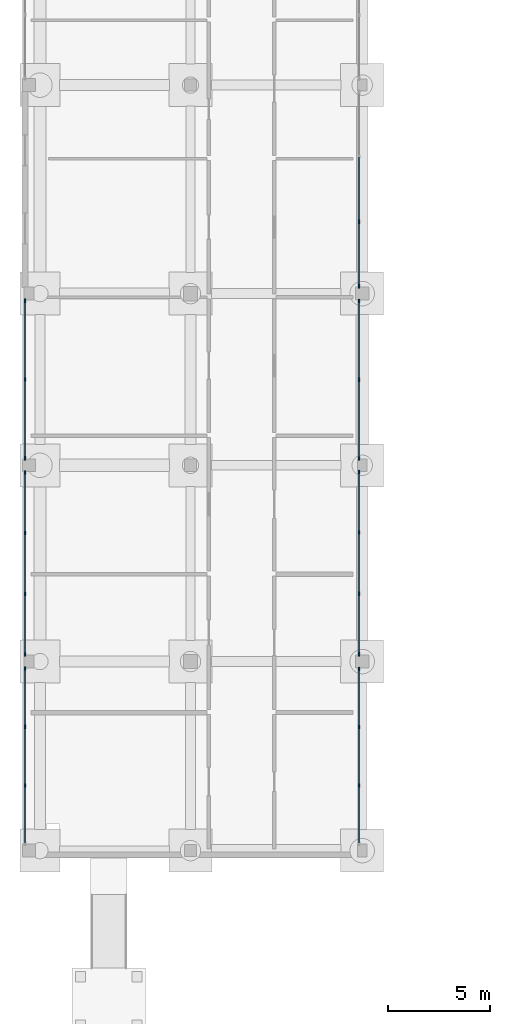
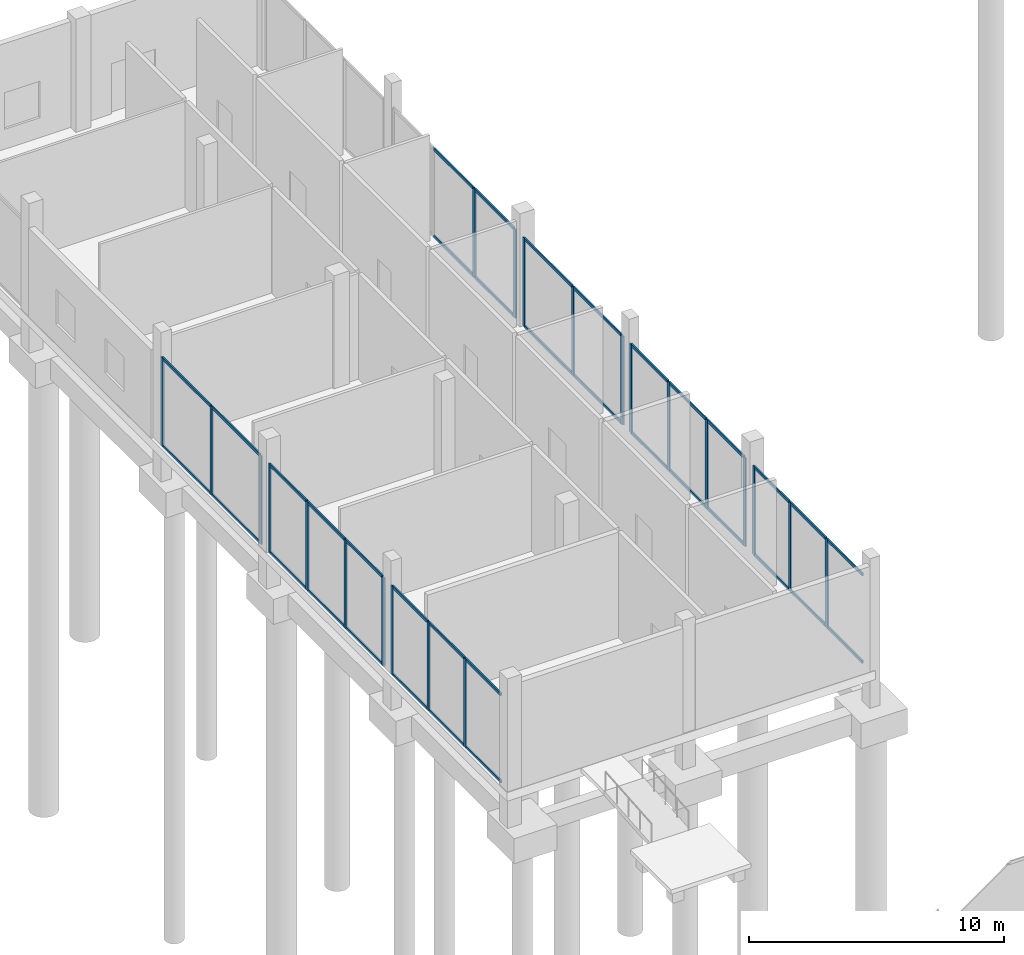
# One storey, part 32 of 88: 58 members, 7 elements without a shape of their own.
"""IFC4 building model written with IfcOpenShell, lengths in metres."""

from ifc_helpers import new_model, si_unit, direction, frame, origin, origin_2d, place, context, subcontext, project, spatial, rectangle, extrude, material, layer, layer_set, material_profile, profile_set, type_object, element, aggregate, save


model = new_model("IFC4")

# Units and contexts
model_context = context("Model", 3, precision=1e-05, world=origin(), true_north=direction((0.0, 1.0)))
body_context = subcontext(model_context, "Body", "Model", "MODEL_VIEW")
ifc_project = project(units=[si_unit("LENGTHUNIT", "METRE"), si_unit("AREAUNIT", "SQUARE_METRE"), si_unit("VOLUMEUNIT", "CUBIC_METRE"), si_unit("PLANEANGLEUNIT", "RADIAN"), si_unit("MASSUNIT", "GRAM", prefix="KILO")], contexts=[model_context])

# Site, building, storey
site_placement = place(None, origin())
site = spatial("IfcSite", under=ifc_project, at=site_placement, CompositionType="ELEMENT")
building_placement = place(site_placement, origin())
building = spatial("IfcBuilding", under=site, at=building_placement, Name="Birchvale Park Specialist Clinic", CompositionType="ELEMENT")
storey_placement = place(building_placement, origin())
storey = spatial("IfcBuildingStorey", under=building, at=storey_placement, Name="L00", CompositionType="ELEMENT", Elevation=0.0)

# Curtain wall, members
ifc_material = material(Name="Thermally broken anodised aluminium", Category="aluminium")
ifc_layer = layer(ifc_material, 0.195068359375)
ifc_layer_set = layer_set([ifc_layer], Name="Thermally broken anodised aluminium")
curtain_wall_type = type_object("IfcCurtainWallType", Name="CW-U2", PredefinedType="USERDEFINED", material=ifc_layer_set)
curtain_wall_1_placement = place(storey_placement, origin())
curtain_wall_1 = element("IfcCurtainWall", 1, at=curtain_wall_1_placement, inside=storey, type_object=curtain_wall_type, Name="V2 L00 glazed curtain wall 24", ObjectType="UNITISED", PredefinedType="USERDEFINED")
ifc_material_profile_1 = material_profile(ifc_material, rectangle(XDim=0.06494140625, YDim=0.179931640625, at=origin_2d()), Name="CWM-65x180")
ifc_profile_set_1 = profile_set([ifc_material_profile_1], Name="Thermally broken anodised aluminium")
member_type_1 = type_object("IfcMemberType", Name="CWM2", PredefinedType="MULLION", material=ifc_profile_set_1)
member_1_placement = place(storey_placement, frame((19.445068359375, 67.135009765625, 0.0), z_axis=(0.0, 0.0, 1.0), x_axis=(-1.0, 0.0, 0.0)))
member_1 = element("IfcMember", 2, at=member_1_placement, type_object=member_type_1, Name="CW mullion 2", PredefinedType="MULLION", context=body_context, shape_type="SweptSolid", body=[
    extrude(rectangle(XDim=0.06494140625, YDim=0.179931640625, at=origin_2d()), origin(), (0.0, 0.0, 1.0), 4.235107421875),
])
member_2_placement = place(storey_placement, frame((19.445068359375, 70.0048828125, 0.0), z_axis=(0.0, 0.0, 1.0), x_axis=(-1.0, 0.0, 0.0)))
member_2 = element("IfcMember", 3, at=member_2_placement, type_object=member_type_1, Name="CW mullion 3", PredefinedType="MULLION", context=body_context, shape_type="SweptSolid", body=[
    extrude(rectangle(XDim=0.06494140625, YDim=0.179931640625, at=origin_2d()), origin(), (0.0, 0.0, 1.0), 4.235107421875),
])
member_3_placement = place(storey_placement, frame((19.445068359375, 72.842529296875, 0.0), z_axis=(0.0, 0.0, 1.0), x_axis=(-1.0, 0.0, 0.0)))
member_3 = element("IfcMember", 4, at=member_3_placement, type_object=member_type_1, Name="CW mullion 4", PredefinedType="MULLION", context=body_context, shape_type="SweptSolid", body=[
    extrude(rectangle(XDim=0.06494140625, YDim=0.179931640625, at=origin_2d()), origin(), (0.0, 0.0, 1.0), 4.235107421875),
])

curtain_wall_2_placement = place(storey_placement, origin())
curtain_wall_2 = element("IfcCurtainWall", 5, at=curtain_wall_2_placement, inside=storey, type_object=curtain_wall_type, Name="V2 L00 glazed curtain wall 25", ObjectType="UNITISED", PredefinedType="USERDEFINED")
member_4_placement = place(storey_placement, frame((19.445068359375, 73.5576171875, 0.0), z_axis=(0.0, 0.0, 1.0), x_axis=(-1.0, 0.0, 0.0)))
member_4 = element("IfcMember", 6, at=member_4_placement, type_object=member_type_1, Name="CW mullion 1", PredefinedType="MULLION", context=body_context, shape_type="SweptSolid", body=[
    extrude(rectangle(XDim=0.06494140625, YDim=0.179931640625, at=origin_2d()), origin(), (0.0, 0.0, 1.0), 4.235107421875),
])
member_5_placement = place(storey_placement, frame((19.445068359375, 76.5166015625, 0.0), z_axis=(0.0, 0.0, 1.0), x_axis=(-1.0, 0.0, 0.0)))
member_5 = element("IfcMember", 7, at=member_5_placement, type_object=member_type_1, Name="CW mullion 2", PredefinedType="MULLION", context=body_context, shape_type="SweptSolid", body=[
    extrude(rectangle(XDim=0.06494140625, YDim=0.179931640625, at=origin_2d()), origin(), (0.0, 0.0, 1.0), 4.235107421875),
])
member_6_placement = place(storey_placement, frame((19.445068359375, 79.50830078125, 0.0), z_axis=(0.0, 0.0, 1.0), x_axis=(-1.0, 0.0, 0.0)))
member_6 = element("IfcMember", 8, at=member_6_placement, type_object=member_type_1, Name="CW mullion 3", PredefinedType="MULLION", context=body_context, shape_type="SweptSolid", body=[
    extrude(rectangle(XDim=0.06494140625, YDim=0.179931640625, at=origin_2d()), origin(), (0.0, 0.0, 1.0), 4.235107421875),
])
member_7_placement = place(storey_placement, frame((19.445068359375, 82.467529296875, 0.0), z_axis=(0.0, 0.0, 1.0), x_axis=(-1.0, 0.0, 0.0)))
member_7 = element("IfcMember", 9, at=member_7_placement, type_object=member_type_1, Name="CW mullion 4", PredefinedType="MULLION", context=body_context, shape_type="SweptSolid", body=[
    extrude(rectangle(XDim=0.06494140625, YDim=0.179931640625, at=origin_2d()), origin(), (0.0, 0.0, 1.0), 4.235107421875),
])

curtain_wall_3_placement = place(storey_placement, origin())
curtain_wall_3 = element("IfcCurtainWall", 10, at=curtain_wall_3_placement, inside=storey, type_object=curtain_wall_type, Name="V2 L00 glazed curtain wall 26", ObjectType="UNITISED", PredefinedType="USERDEFINED")
member_8_placement = place(storey_placement, frame((19.445068359375, 83.132568359375, 0.0), z_axis=(0.0, 0.0, 1.0), x_axis=(-1.0, 0.0, 0.0)))
member_8 = element("IfcMember", 11, at=member_8_placement, type_object=member_type_1, Name="CW mullion 1", PredefinedType="MULLION", context=body_context, shape_type="SweptSolid", body=[
    extrude(rectangle(XDim=0.06494140625, YDim=0.179931640625, at=origin_2d()), origin(), (0.0, 0.0, 1.0), 4.235107421875),
])
member_9_placement = place(storey_placement, frame((19.445068359375, 86.987548828125, 0.0), z_axis=(0.0, 0.0, 1.0), x_axis=(-1.0, 0.0, 0.0)))
member_9 = element("IfcMember", 12, at=member_9_placement, type_object=member_type_1, Name="CW mullion 2", PredefinedType="MULLION", context=body_context, shape_type="SweptSolid", body=[
    extrude(rectangle(XDim=0.06494140625, YDim=0.179931640625, at=origin_2d()), origin(), (0.0, 0.0, 1.0), 4.235107421875),
])
member_10_placement = place(storey_placement, frame((19.445068359375, 90.842529296875, 0.0), z_axis=(0.0, 0.0, 1.0), x_axis=(-1.0, 0.0, 0.0)))
member_10 = element("IfcMember", 13, at=member_10_placement, type_object=member_type_1, Name="CW mullion 3", PredefinedType="MULLION", context=body_context, shape_type="SweptSolid", body=[
    extrude(rectangle(XDim=0.06494140625, YDim=0.179931640625, at=origin_2d()), origin(), (0.0, 0.0, 1.0), 4.235107421875),
])

curtain_wall_4_placement = place(storey_placement, origin())
curtain_wall_4 = element("IfcCurtainWall", 14, at=curtain_wall_4_placement, inside=storey, type_object=curtain_wall_type, Name="V2 L00 glazed curtain wall 27", ObjectType="UNITISED", PredefinedType="USERDEFINED")
member_11_placement = place(storey_placement, frame((19.445068359375, 91.5576171875, 0.0), z_axis=(0.0, 0.0, 1.0), x_axis=(-1.0, 0.0, 0.0)))
member_11 = element("IfcMember", 15, at=member_11_placement, type_object=member_type_1, Name="CW mullion 1", PredefinedType="MULLION", context=body_context, shape_type="SweptSolid", body=[
    extrude(rectangle(XDim=0.06494140625, YDim=0.179931640625, at=origin_2d()), origin(), (0.0, 0.0, 1.0), 4.235107421875),
])
member_12_placement = place(storey_placement, frame((19.445068359375, 94.716552734375, 0.0), z_axis=(0.0, 0.0, 1.0), x_axis=(-1.0, 0.0, 0.0)))
member_12 = element("IfcMember", 16, at=member_12_placement, type_object=member_type_1, Name="CW mullion 2", PredefinedType="MULLION", context=body_context, shape_type="SweptSolid", body=[
    extrude(rectangle(XDim=0.06494140625, YDim=0.179931640625, at=origin_2d()), origin(), (0.0, 0.0, 1.0), 4.235107421875),
])

curtain_wall_5_placement = place(storey_placement, origin())
curtain_wall_5 = element("IfcCurtainWall", 17, at=curtain_wall_5_placement, inside=storey, type_object=curtain_wall_type, Name="V2 L00 glazed curtain wall 30", ObjectType="UNITISED", PredefinedType="USERDEFINED")
member_13_placement = place(storey_placement, frame((3.10498046875, 90.8525390625, 0.0), z_axis=(0.0, 0.0, 1.0), x_axis=(1.0, 0.0, 0.0)))
member_13 = element("IfcMember", 18, at=member_13_placement, type_object=member_type_1, Name="CW mullion 1", PredefinedType="MULLION", context=body_context, shape_type="SweptSolid", body=[
    extrude(rectangle(XDim=0.06494140625, YDim=0.179931640625, at=origin_2d()), origin(), (0.0, 0.0, 1.0), 4.235107421875),
])
member_14_placement = place(storey_placement, frame((3.10498046875, 87.0, 0.0), z_axis=(0.0, 0.0, 1.0), x_axis=(1.0, 0.0, 0.0)))
member_14 = element("IfcMember", 19, at=member_14_placement, type_object=member_type_1, Name="CW mullion 2", PredefinedType="MULLION", context=body_context, shape_type="SweptSolid", body=[
    extrude(rectangle(XDim=0.06494140625, YDim=0.179931640625, at=origin_2d()), origin(), (0.0, 0.0, 1.0), 4.235107421875),
])
member_15_placement = place(storey_placement, frame((3.10498046875, 83.1474609375, 0.0), z_axis=(0.0, 0.0, 1.0), x_axis=(1.0, 0.0, 0.0)))
member_15 = element("IfcMember", 20, at=member_15_placement, type_object=member_type_1, Name="CW mullion 3", PredefinedType="MULLION", context=body_context, shape_type="SweptSolid", body=[
    extrude(rectangle(XDim=0.06494140625, YDim=0.179931640625, at=origin_2d()), origin(), (0.0, 0.0, 1.0), 4.235107421875),
])

curtain_wall_6_placement = place(storey_placement, origin())
curtain_wall_6 = element("IfcCurtainWall", 21, at=curtain_wall_6_placement, inside=storey, type_object=curtain_wall_type, Name="V2 L00 glazed curtain wall 31", ObjectType="UNITISED", PredefinedType="USERDEFINED")
member_16_placement = place(storey_placement, frame((3.10498046875, 82.452392578125, 0.0), z_axis=(0.0, 0.0, 1.0), x_axis=(1.0, 0.0, 0.0)))
member_16 = element("IfcMember", 22, at=member_16_placement, type_object=member_type_1, Name="CW mullion 1", PredefinedType="MULLION", context=body_context, shape_type="SweptSolid", body=[
    extrude(rectangle(XDim=0.06494140625, YDim=0.179931640625, at=origin_2d()), origin(), (0.0, 0.0, 1.0), 4.235107421875),
])
member_17_placement = place(storey_placement, frame((3.10498046875, 79.4951171875, 0.0), z_axis=(0.0, 0.0, 1.0), x_axis=(1.0, 0.0, 0.0)))
member_17 = element("IfcMember", 23, at=member_17_placement, type_object=member_type_1, Name="CW mullion 2", PredefinedType="MULLION", context=body_context, shape_type="SweptSolid", body=[
    extrude(rectangle(XDim=0.06494140625, YDim=0.179931640625, at=origin_2d()), origin(), (0.0, 0.0, 1.0), 4.235107421875),
])
member_18_placement = place(storey_placement, frame((3.10498046875, 76.5048828125, 0.0), z_axis=(0.0, 0.0, 1.0), x_axis=(1.0, 0.0, 0.0)))
member_18 = element("IfcMember", 24, at=member_18_placement, type_object=member_type_1, Name="CW mullion 3", PredefinedType="MULLION", context=body_context, shape_type="SweptSolid", body=[
    extrude(rectangle(XDim=0.06494140625, YDim=0.179931640625, at=origin_2d()), origin(), (0.0, 0.0, 1.0), 4.235107421875),
])
member_19_placement = place(storey_placement, frame((3.10498046875, 73.547607421875, 0.0), z_axis=(0.0, 0.0, 1.0), x_axis=(1.0, 0.0, 0.0)))
member_19 = element("IfcMember", 25, at=member_19_placement, type_object=member_type_1, Name="CW mullion 4", PredefinedType="MULLION", context=body_context, shape_type="SweptSolid", body=[
    extrude(rectangle(XDim=0.06494140625, YDim=0.179931640625, at=origin_2d()), origin(), (0.0, 0.0, 1.0), 4.235107421875),
])

curtain_wall_7_placement = place(storey_placement, origin())
curtain_wall_7 = element("IfcCurtainWall", 26, at=curtain_wall_7_placement, inside=storey, type_object=curtain_wall_type, Name="V2 L00 glazed curtain wall 32", ObjectType="UNITISED", PredefinedType="USERDEFINED")
member_20_placement = place(storey_placement, frame((3.10498046875, 72.8525390625, 0.0), z_axis=(0.0, 0.0, 1.0), x_axis=(1.0, 0.0, 0.0)))
member_20 = element("IfcMember", 27, at=member_20_placement, type_object=member_type_1, Name="CW mullion 1", PredefinedType="MULLION", context=body_context, shape_type="SweptSolid", body=[
    extrude(rectangle(XDim=0.06494140625, YDim=0.179931640625, at=origin_2d()), origin(), (0.0, 0.0, 1.0), 4.235107421875),
])
member_21_placement = place(storey_placement, frame((3.10498046875, 70.01171875, 0.0), z_axis=(0.0, 0.0, 1.0), x_axis=(1.0, 0.0, 0.0)))
member_21 = element("IfcMember", 28, at=member_21_placement, type_object=member_type_1, Name="CW mullion 2", PredefinedType="MULLION", context=body_context, shape_type="SweptSolid", body=[
    extrude(rectangle(XDim=0.06494140625, YDim=0.179931640625, at=origin_2d()), origin(), (0.0, 0.0, 1.0), 4.235107421875),
])
member_22_placement = place(storey_placement, frame((3.10498046875, 67.138427734375, 0.0), z_axis=(0.0, 0.0, 1.0), x_axis=(1.0, 0.0, 0.0)))
member_22 = element("IfcMember", 29, at=member_22_placement, type_object=member_type_1, Name="CW mullion 3", PredefinedType="MULLION", context=body_context, shape_type="SweptSolid", body=[
    extrude(rectangle(XDim=0.06494140625, YDim=0.179931640625, at=origin_2d()), origin(), (0.0, 0.0, 1.0), 4.235107421875),
])

# Member
ifc_material_profile_2 = material_profile(ifc_material, rectangle(XDim=0.06494140625, YDim=0.139892578125, at=origin_2d()), Name="CWT-65x140")
ifc_profile_set_2 = profile_set([ifc_material_profile_2], Name="Thermally broken anodised aluminium")
member_type_2 = type_object("IfcMemberType", Name="CWT2", PredefinedType="USERDEFINED", material=ifc_profile_set_2)
member_23_placement = place(storey_placement, frame((19.445068359375, 64.330078125, 0.032470703125), z_axis=(0.0, 1.0, 0.0), x_axis=(-1.0, 0.0, 0.0)))
member_23 = element("IfcMember", 30, at=member_23_placement, type_object=member_type_2, Name="CW transom 1.1", ObjectType="TRANSOM", PredefinedType="USERDEFINED", context=body_context, shape_type="SweptSolid", body=[
    extrude(rectangle(XDim=0.06494140625, YDim=0.139892578125, at=origin_2d()), origin(), (0.0, 0.0, 1.0), 2.7724609375),
])

member_24_placement = place(storey_placement, frame((19.445068359375, 64.330078125, 4.202392578125), z_axis=(0.0, 1.0, 0.0), x_axis=(-1.0, 0.0, 0.0)))
member_24 = element("IfcMember", 31, at=member_24_placement, type_object=member_type_2, Name="CW transom 1.2", ObjectType="TRANSOM", PredefinedType="USERDEFINED", context=body_context, shape_type="SweptSolid", body=[
    extrude(rectangle(XDim=0.06494140625, YDim=0.139892578125, at=origin_2d()), origin(), (0.0, 0.0, 1.0), 2.7724609375),
])

member_25_placement = place(storey_placement, frame((19.445068359375, 67.16748046875, 0.032470703125), z_axis=(0.0, 1.0, 0.0), x_axis=(-1.0, 0.0, 0.0)))
member_25 = element("IfcMember", 32, at=member_25_placement, type_object=member_type_2, Name="CW transom 2.1", ObjectType="TRANSOM", PredefinedType="USERDEFINED", context=body_context, shape_type="SweptSolid", body=[
    extrude(rectangle(XDim=0.06494140625, YDim=0.139892578125, at=origin_2d()), origin(), (0.0, 0.0, 1.0), 2.804931640625),
])

member_26_placement = place(storey_placement, frame((19.445068359375, 67.16748046875, 4.202392578125), z_axis=(0.0, 1.0, 0.0), x_axis=(-1.0, 0.0, 0.0)))
member_26 = element("IfcMember", 33, at=member_26_placement, type_object=member_type_2, Name="CW transom 2.2", ObjectType="TRANSOM", PredefinedType="USERDEFINED", context=body_context, shape_type="SweptSolid", body=[
    extrude(rectangle(XDim=0.06494140625, YDim=0.139892578125, at=origin_2d()), origin(), (0.0, 0.0, 1.0), 2.804931640625),
])

member_27_placement = place(storey_placement, frame((19.445068359375, 70.03759765625, 0.032470703125), z_axis=(0.0, 1.0, 0.0), x_axis=(-1.0, 0.0, 0.0)))
member_27 = element("IfcMember", 34, at=member_27_placement, type_object=member_type_2, Name="CW transom 3.1", ObjectType="TRANSOM", PredefinedType="USERDEFINED", context=body_context, shape_type="SweptSolid", body=[
    extrude(rectangle(XDim=0.06494140625, YDim=0.139892578125, at=origin_2d()), origin(), (0.0, 0.0, 1.0), 2.7724609375),
])

member_28_placement = place(storey_placement, frame((19.445068359375, 70.03759765625, 4.202392578125), z_axis=(0.0, 1.0, 0.0), x_axis=(-1.0, 0.0, 0.0)))
member_28 = element("IfcMember", 35, at=member_28_placement, type_object=member_type_2, Name="CW transom 3.2", ObjectType="TRANSOM", PredefinedType="USERDEFINED", context=body_context, shape_type="SweptSolid", body=[
    extrude(rectangle(XDim=0.06494140625, YDim=0.139892578125, at=origin_2d()), origin(), (0.0, 0.0, 1.0), 2.7724609375),
])

aggregate(curtain_wall_1, [member_1, member_2, member_3, member_23, member_24, member_25, member_26, member_27, member_28])

member_29_placement = place(storey_placement, frame((19.445068359375, 73.590087890625, 0.032470703125), z_axis=(0.0, 1.0, 0.0), x_axis=(-1.0, 0.0, 0.0)))
member_29 = element("IfcMember", 36, at=member_29_placement, type_object=member_type_2, Name="CW transom 1.1", ObjectType="TRANSOM", PredefinedType="USERDEFINED", context=body_context, shape_type="SweptSolid", body=[
    extrude(rectangle(XDim=0.06494140625, YDim=0.139892578125, at=origin_2d()), origin(), (0.0, 0.0, 1.0), 2.89404296875),
])

member_30_placement = place(storey_placement, frame((19.445068359375, 73.590087890625, 4.202392578125), z_axis=(0.0, 1.0, 0.0), x_axis=(-1.0, 0.0, 0.0)))
member_30 = element("IfcMember", 37, at=member_30_placement, type_object=member_type_2, Name="CW transom 1.2", ObjectType="TRANSOM", PredefinedType="USERDEFINED", context=body_context, shape_type="SweptSolid", body=[
    extrude(rectangle(XDim=0.06494140625, YDim=0.139892578125, at=origin_2d()), origin(), (0.0, 0.0, 1.0), 2.89404296875),
])

member_31_placement = place(storey_placement, frame((19.445068359375, 76.549072265625, 0.032470703125), z_axis=(0.0, 1.0, 0.0), x_axis=(-1.0, 0.0, 0.0)))
member_31 = element("IfcMember", 38, at=member_31_placement, type_object=member_type_2, Name="CW transom 2.1", ObjectType="TRANSOM", PredefinedType="USERDEFINED", context=body_context, shape_type="SweptSolid", body=[
    extrude(rectangle(XDim=0.06494140625, YDim=0.139892578125, at=origin_2d()), origin(), (0.0, 0.0, 1.0), 2.9267578125),
])

member_32_placement = place(storey_placement, frame((19.445068359375, 76.549072265625, 4.202392578125), z_axis=(0.0, 1.0, 0.0), x_axis=(-1.0, 0.0, 0.0)))
member_32 = element("IfcMember", 39, at=member_32_placement, type_object=member_type_2, Name="CW transom 2.2", ObjectType="TRANSOM", PredefinedType="USERDEFINED", context=body_context, shape_type="SweptSolid", body=[
    extrude(rectangle(XDim=0.06494140625, YDim=0.139892578125, at=origin_2d()), origin(), (0.0, 0.0, 1.0), 2.9267578125),
])

member_33_placement = place(storey_placement, frame((19.445068359375, 79.540771484375, 0.032470703125), z_axis=(0.0, 1.0, 0.0), x_axis=(-1.0, 0.0, 0.0)))
member_33 = element("IfcMember", 40, at=member_33_placement, type_object=member_type_2, Name="CW transom 3.1", ObjectType="TRANSOM", PredefinedType="USERDEFINED", context=body_context, shape_type="SweptSolid", body=[
    extrude(rectangle(XDim=0.06494140625, YDim=0.139892578125, at=origin_2d()), origin(), (0.0, 0.0, 1.0), 2.894287109375),
])

member_34_placement = place(storey_placement, frame((19.445068359375, 79.540771484375, 4.202392578125), z_axis=(0.0, 1.0, 0.0), x_axis=(-1.0, 0.0, 0.0)))
member_34 = element("IfcMember", 41, at=member_34_placement, type_object=member_type_2, Name="CW transom 3.2", ObjectType="TRANSOM", PredefinedType="USERDEFINED", context=body_context, shape_type="SweptSolid", body=[
    extrude(rectangle(XDim=0.06494140625, YDim=0.139892578125, at=origin_2d()), origin(), (0.0, 0.0, 1.0), 2.894287109375),
])

aggregate(curtain_wall_2, [member_4, member_5, member_6, member_7, member_29, member_30, member_31, member_32, member_33, member_34])

member_35_placement = place(storey_placement, frame((19.445068359375, 83.1650390625, 0.032470703125), z_axis=(0.0, 1.0, 0.0), x_axis=(-1.0, 0.0, 0.0)))
member_35 = element("IfcMember", 42, at=member_35_placement, type_object=member_type_2, Name="CW transom 1.1", ObjectType="TRANSOM", PredefinedType="USERDEFINED", context=body_context, shape_type="SweptSolid", body=[
    extrude(rectangle(XDim=0.06494140625, YDim=0.139892578125, at=origin_2d()), origin(), (0.0, 0.0, 1.0), 3.7900390625),
])

member_36_placement = place(storey_placement, frame((19.445068359375, 83.1650390625, 4.202392578125), z_axis=(0.0, 1.0, 0.0), x_axis=(-1.0, 0.0, 0.0)))
member_36 = element("IfcMember", 43, at=member_36_placement, type_object=member_type_2, Name="CW transom 1.2", ObjectType="TRANSOM", PredefinedType="USERDEFINED", context=body_context, shape_type="SweptSolid", body=[
    extrude(rectangle(XDim=0.06494140625, YDim=0.139892578125, at=origin_2d()), origin(), (0.0, 0.0, 1.0), 3.7900390625),
])

member_37_placement = place(storey_placement, frame((19.445068359375, 87.02001953125, 0.032470703125), z_axis=(0.0, 1.0, 0.0), x_axis=(-1.0, 0.0, 0.0)))
member_37 = element("IfcMember", 44, at=member_37_placement, type_object=member_type_2, Name="CW transom 2.1", ObjectType="TRANSOM", PredefinedType="USERDEFINED", context=body_context, shape_type="SweptSolid", body=[
    extrude(rectangle(XDim=0.06494140625, YDim=0.139892578125, at=origin_2d()), origin(), (0.0, 0.0, 1.0), 3.7900390625),
])

member_38_placement = place(storey_placement, frame((19.445068359375, 87.02001953125, 4.202392578125), z_axis=(0.0, 1.0, 0.0), x_axis=(-1.0, 0.0, 0.0)))
member_38 = element("IfcMember", 45, at=member_38_placement, type_object=member_type_2, Name="CW transom 2.2", ObjectType="TRANSOM", PredefinedType="USERDEFINED", context=body_context, shape_type="SweptSolid", body=[
    extrude(rectangle(XDim=0.06494140625, YDim=0.139892578125, at=origin_2d()), origin(), (0.0, 0.0, 1.0), 3.7900390625),
])

aggregate(curtain_wall_3, [member_8, member_9, member_10, member_35, member_36, member_37, member_38])

member_39_placement = place(storey_placement, frame((19.445068359375, 91.590087890625, 0.032470703125), z_axis=(0.0, 1.0, 0.0), x_axis=(-1.0, 0.0, 0.0)))
member_39 = element("IfcMember", 46, at=member_39_placement, type_object=member_type_2, Name="CW transom 1.1", ObjectType="TRANSOM", PredefinedType="USERDEFINED", context=body_context, shape_type="SweptSolid", body=[
    extrude(rectangle(XDim=0.06494140625, YDim=0.139892578125, at=origin_2d()), origin(), (0.0, 0.0, 1.0), 3.093994140625),
])

member_40_placement = place(storey_placement, frame((19.445068359375, 91.590087890625, 4.202392578125), z_axis=(0.0, 1.0, 0.0), x_axis=(-1.0, 0.0, 0.0)))
member_40 = element("IfcMember", 47, at=member_40_placement, type_object=member_type_2, Name="CW transom 1.2", ObjectType="TRANSOM", PredefinedType="USERDEFINED", context=body_context, shape_type="SweptSolid", body=[
    extrude(rectangle(XDim=0.06494140625, YDim=0.139892578125, at=origin_2d()), origin(), (0.0, 0.0, 1.0), 3.093994140625),
])

member_41_placement = place(storey_placement, frame((19.445068359375, 94.749267578125, 0.032470703125), z_axis=(0.0, 1.0, 0.0), x_axis=(-1.0, 0.0, 0.0)))
member_41 = element("IfcMember", 48, at=member_41_placement, type_object=member_type_2, Name="CW transom 2.1", ObjectType="TRANSOM", PredefinedType="USERDEFINED", context=body_context, shape_type="SweptSolid", body=[
    extrude(rectangle(XDim=0.06494140625, YDim=0.139892578125, at=origin_2d()), origin(), (0.0, 0.0, 1.0), 3.12646484375),
])

member_42_placement = place(storey_placement, frame((19.445068359375, 94.749267578125, 4.202392578125), z_axis=(0.0, 1.0, 0.0), x_axis=(-1.0, 0.0, 0.0)))
member_42 = element("IfcMember", 49, at=member_42_placement, type_object=member_type_2, Name="CW transom 2.2", ObjectType="TRANSOM", PredefinedType="USERDEFINED", context=body_context, shape_type="SweptSolid", body=[
    extrude(rectangle(XDim=0.06494140625, YDim=0.139892578125, at=origin_2d()), origin(), (0.0, 0.0, 1.0), 3.12646484375),
])

aggregate(curtain_wall_4, [member_11, member_12, member_39, member_40, member_41, member_42])

member_43_placement = place(storey_placement, frame((3.10498046875, 90.820068359375, 0.032470703125), z_axis=(0.0, -1.0, 0.0), x_axis=(1.0, 0.0, 0.0)))
member_43 = element("IfcMember", 50, at=member_43_placement, type_object=member_type_2, Name="CW transom 1.1", ObjectType="TRANSOM", PredefinedType="USERDEFINED", context=body_context, shape_type="SweptSolid", body=[
    extrude(rectangle(XDim=0.06494140625, YDim=0.139892578125, at=origin_2d()), origin(), (0.0, 0.0, 1.0), 3.78759765625),
])

member_44_placement = place(storey_placement, frame((3.10498046875, 90.820068359375, 4.202392578125), z_axis=(0.0, -1.0, 0.0), x_axis=(1.0, 0.0, 0.0)))
member_44 = element("IfcMember", 51, at=member_44_placement, type_object=member_type_2, Name="CW transom 1.2", ObjectType="TRANSOM", PredefinedType="USERDEFINED", context=body_context, shape_type="SweptSolid", body=[
    extrude(rectangle(XDim=0.06494140625, YDim=0.139892578125, at=origin_2d()), origin(), (0.0, 0.0, 1.0), 3.78759765625),
])

member_45_placement = place(storey_placement, frame((3.10498046875, 86.967529296875, 0.032470703125), z_axis=(0.0, -1.0, 0.0), x_axis=(1.0, 0.0, 0.0)))
member_45 = element("IfcMember", 52, at=member_45_placement, type_object=member_type_2, Name="CW transom 2.1", ObjectType="TRANSOM", PredefinedType="USERDEFINED", context=body_context, shape_type="SweptSolid", body=[
    extrude(rectangle(XDim=0.06494140625, YDim=0.139892578125, at=origin_2d()), origin(), (0.0, 0.0, 1.0), 3.78759765625),
])

member_46_placement = place(storey_placement, frame((3.10498046875, 86.967529296875, 4.202392578125), z_axis=(0.0, -1.0, 0.0), x_axis=(1.0, 0.0, 0.0)))
member_46 = element("IfcMember", 53, at=member_46_placement, type_object=member_type_2, Name="CW transom 2.2", ObjectType="TRANSOM", PredefinedType="USERDEFINED", context=body_context, shape_type="SweptSolid", body=[
    extrude(rectangle(XDim=0.06494140625, YDim=0.139892578125, at=origin_2d()), origin(), (0.0, 0.0, 1.0), 3.78759765625),
])

aggregate(curtain_wall_5, [member_13, member_14, member_15, member_43, member_44, member_45, member_46])

member_47_placement = place(storey_placement, frame((3.10498046875, 82.419921875, 0.032470703125), z_axis=(0.0, -1.0, 0.0), x_axis=(1.0, 0.0, 0.0)))
member_47 = element("IfcMember", 54, at=member_47_placement, type_object=member_type_2, Name="CW transom 1.1", ObjectType="TRANSOM", PredefinedType="USERDEFINED", context=body_context, shape_type="SweptSolid", body=[
    extrude(rectangle(XDim=0.06494140625, YDim=0.139892578125, at=origin_2d()), origin(), (0.0, 0.0, 1.0), 2.892333984375),
])

member_48_placement = place(storey_placement, frame((3.10498046875, 82.419921875, 4.202392578125), z_axis=(0.0, -1.0, 0.0), x_axis=(1.0, 0.0, 0.0)))
member_48 = element("IfcMember", 55, at=member_48_placement, type_object=member_type_2, Name="CW transom 1.2", ObjectType="TRANSOM", PredefinedType="USERDEFINED", context=body_context, shape_type="SweptSolid", body=[
    extrude(rectangle(XDim=0.06494140625, YDim=0.139892578125, at=origin_2d()), origin(), (0.0, 0.0, 1.0), 2.892333984375),
])

member_49_placement = place(storey_placement, frame((3.10498046875, 79.46240234375, 0.032470703125), z_axis=(0.0, -1.0, 0.0), x_axis=(1.0, 0.0, 0.0)))
member_49 = element("IfcMember", 56, at=member_49_placement, type_object=member_type_2, Name="CW transom 2.1", ObjectType="TRANSOM", PredefinedType="USERDEFINED", context=body_context, shape_type="SweptSolid", body=[
    extrude(rectangle(XDim=0.06494140625, YDim=0.139892578125, at=origin_2d()), origin(), (0.0, 0.0, 1.0), 2.9248046875),
])

member_50_placement = place(storey_placement, frame((3.10498046875, 79.46240234375, 4.202392578125), z_axis=(0.0, -1.0, 0.0), x_axis=(1.0, 0.0, 0.0)))
member_50 = element("IfcMember", 57, at=member_50_placement, type_object=member_type_2, Name="CW transom 2.2", ObjectType="TRANSOM", PredefinedType="USERDEFINED", context=body_context, shape_type="SweptSolid", body=[
    extrude(rectangle(XDim=0.06494140625, YDim=0.139892578125, at=origin_2d()), origin(), (0.0, 0.0, 1.0), 2.9248046875),
])

member_51_placement = place(storey_placement, frame((3.10498046875, 76.472412109375, 0.032470703125), z_axis=(0.0, -1.0, 0.0), x_axis=(1.0, 0.0, 0.0)))
member_51 = element("IfcMember", 58, at=member_51_placement, type_object=member_type_2, Name="CW transom 3.1", ObjectType="TRANSOM", PredefinedType="USERDEFINED", context=body_context, shape_type="SweptSolid", body=[
    extrude(rectangle(XDim=0.06494140625, YDim=0.139892578125, at=origin_2d()), origin(), (0.0, 0.0, 1.0), 2.892333984375),
])

member_52_placement = place(storey_placement, frame((3.10498046875, 76.472412109375, 4.202392578125), z_axis=(0.0, -1.0, 0.0), x_axis=(1.0, 0.0, 0.0)))
member_52 = element("IfcMember", 59, at=member_52_placement, type_object=member_type_2, Name="CW transom 3.2", ObjectType="TRANSOM", PredefinedType="USERDEFINED", context=body_context, shape_type="SweptSolid", body=[
    extrude(rectangle(XDim=0.06494140625, YDim=0.139892578125, at=origin_2d()), origin(), (0.0, 0.0, 1.0), 2.892333984375),
])

aggregate(curtain_wall_6, [member_16, member_17, member_18, member_19, member_47, member_48, member_49, member_50, member_51, member_52])

member_53_placement = place(storey_placement, frame((3.10498046875, 72.820068359375, 0.032470703125), z_axis=(0.0, -1.0, 0.0), x_axis=(1.0, 0.0, 0.0)))
member_53 = element("IfcMember", 60, at=member_53_placement, type_object=member_type_2, Name="CW transom 1.1", ObjectType="TRANSOM", PredefinedType="USERDEFINED", context=body_context, shape_type="SweptSolid", body=[
    extrude(rectangle(XDim=0.06494140625, YDim=0.139892578125, at=origin_2d()), origin(), (0.0, 0.0, 1.0), 2.77587890625),
])

member_54_placement = place(storey_placement, frame((3.10498046875, 72.820068359375, 4.202392578125), z_axis=(0.0, -1.0, 0.0), x_axis=(1.0, 0.0, 0.0)))
member_54 = element("IfcMember", 61, at=member_54_placement, type_object=member_type_2, Name="CW transom 1.2", ObjectType="TRANSOM", PredefinedType="USERDEFINED", context=body_context, shape_type="SweptSolid", body=[
    extrude(rectangle(XDim=0.06494140625, YDim=0.139892578125, at=origin_2d()), origin(), (0.0, 0.0, 1.0), 2.77587890625),
])

member_55_placement = place(storey_placement, frame((3.10498046875, 69.979248046875, 0.032470703125), z_axis=(0.0, -1.0, 0.0), x_axis=(1.0, 0.0, 0.0)))
member_55 = element("IfcMember", 62, at=member_55_placement, type_object=member_type_2, Name="CW transom 2.1", ObjectType="TRANSOM", PredefinedType="USERDEFINED", context=body_context, shape_type="SweptSolid", body=[
    extrude(rectangle(XDim=0.06494140625, YDim=0.139892578125, at=origin_2d()), origin(), (0.0, 0.0, 1.0), 2.808349609375),
])

member_56_placement = place(storey_placement, frame((3.10498046875, 69.979248046875, 4.202392578125), z_axis=(0.0, -1.0, 0.0), x_axis=(1.0, 0.0, 0.0)))
member_56 = element("IfcMember", 63, at=member_56_placement, type_object=member_type_2, Name="CW transom 2.2", ObjectType="TRANSOM", PredefinedType="USERDEFINED", context=body_context, shape_type="SweptSolid", body=[
    extrude(rectangle(XDim=0.06494140625, YDim=0.139892578125, at=origin_2d()), origin(), (0.0, 0.0, 1.0), 2.808349609375),
])

member_57_placement = place(storey_placement, frame((3.10498046875, 67.105712890625, 0.032470703125), z_axis=(0.0, -1.0, 0.0), x_axis=(1.0, 0.0, 0.0)))
member_57 = element("IfcMember", 64, at=member_57_placement, type_object=member_type_2, Name="CW transom 3.1", ObjectType="TRANSOM", PredefinedType="USERDEFINED", context=body_context, shape_type="SweptSolid", body=[
    extrude(rectangle(XDim=0.06494140625, YDim=0.139892578125, at=origin_2d()), origin(), (0.0, 0.0, 1.0), 2.775634765625),
])

member_58_placement = place(storey_placement, frame((3.10498046875, 67.105712890625, 4.202392578125), z_axis=(0.0, -1.0, 0.0), x_axis=(1.0, 0.0, 0.0)))
member_58 = element("IfcMember", 65, at=member_58_placement, type_object=member_type_2, Name="CW transom 3.2", ObjectType="TRANSOM", PredefinedType="USERDEFINED", context=body_context, shape_type="SweptSolid", body=[
    extrude(rectangle(XDim=0.06494140625, YDim=0.139892578125, at=origin_2d()), origin(), (0.0, 0.0, 1.0), 2.775634765625),
])

aggregate(curtain_wall_7, [member_20, member_21, member_22, member_53, member_54, member_55, member_56, member_57, member_58])

save(model, "model.ifc")
